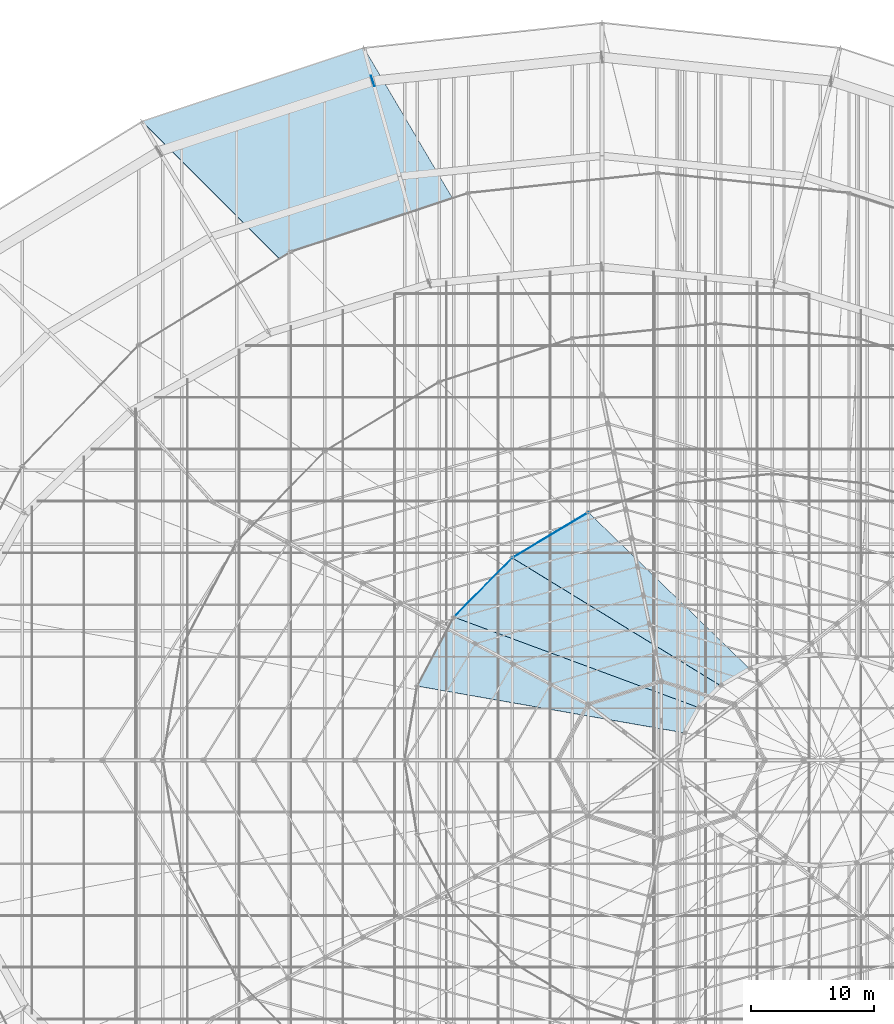
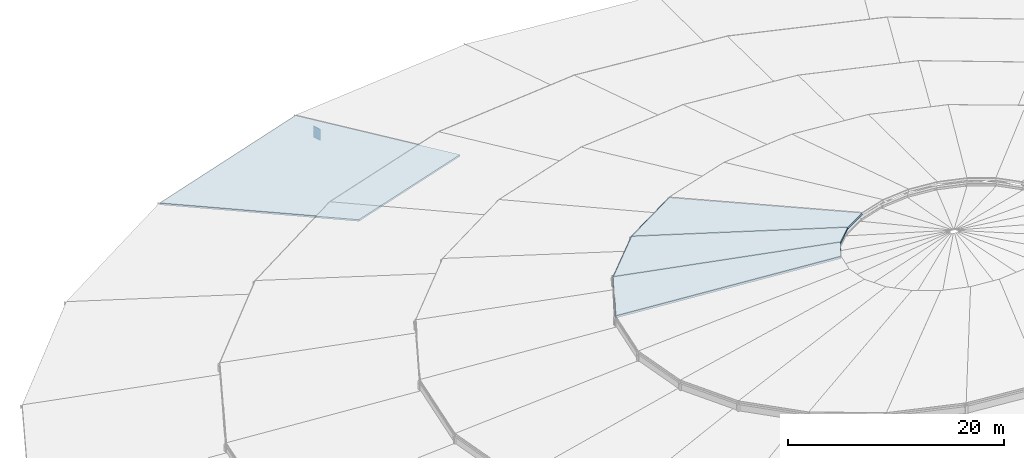
# One storey, part 150 of 184: 4 slabs, 3 plates.
"""IFC4 building model written with IfcOpenShell, lengths in metres."""

from ifc_helpers import new_model, si_unit, direction, frame, origin, origin_2d, place, context, subcontext, project, spatial, polyline, rectangle, outline, extrude, material, layer, layer_set, type_object, element, save


model = new_model("IFC4")

# Units and contexts
model_context = context("Model", 3, precision=1e-05, world=origin(), true_north=direction((0.0, 1.0)))
body_context = subcontext(model_context, "Body", "Model", "MODEL_VIEW")
ifc_project = project(units=[si_unit("LENGTHUNIT", "METRE"), si_unit("AREAUNIT", "SQUARE_METRE"), si_unit("VOLUMEUNIT", "CUBIC_METRE"), si_unit("PLANEANGLEUNIT", "RADIAN"), si_unit("MASSUNIT", "GRAM", prefix="KILO")], contexts=[model_context])

# Site, building, storey
site_placement = place(None, origin())
site = spatial("IfcSite", under=ifc_project, at=site_placement, CompositionType="ELEMENT")
building_placement = place(site_placement, origin())
building = spatial("IfcBuilding", under=site, at=building_placement, Name="Kalgoora Escarpment Arena", CompositionType="ELEMENT")
storey_placement = place(building_placement, frame((0.0, 0.0, 27.60009765625)))
storey = spatial("IfcBuildingStorey", under=building, at=storey_placement, Name="Roof Level", CompositionType="ELEMENT", Elevation=27.60009765625)

# Plates
ifc_material_1 = material(Name="Low-E double-glazed petal clerestory glass", Category="glass")
ifc_layer_1 = layer(ifc_material_1, 0.035888671875)
ifc_layer_set_1 = layer_set([ifc_layer_1], Name="PLT-PETAL-CLERESTORY")
plate_type_1 = type_object("IfcPlateType", Name="PLT-PETAL-CLERESTORY", PredefinedType="USERDEFINED", material=ifc_layer_set_1)
plate_1_placement = place(storey_placement, frame((88.214111328125, 82.248291015625, 5.159912109375), z_axis=(0.0, 0.0, 1.0), x_axis=(-0.858512728225, -0.512792253721, 0.0)))
element("IfcPlate", 1, at=plate_1_placement, inside=storey, type_object=plate_type_1, Name="Petal RP4 glazed clerestory collar panel S09", ObjectType="CLERESTORY PANEL", PredefinedType="USERDEFINED", context=body_context, shape_type="SweptSolid", body=[
    extrude(rectangle(XDim=7.297119140625, YDim=0.0400390625, at=origin_2d()), origin(), (0.0, 0.0, 1.0), 1.25),
])
plate_2_placement = place(storey_placement, frame((82.76025390625, 78.00244140625, 5.159912109375), z_axis=(0.0, 0.0, 1.0), x_axis=(-0.702028770313, -0.712148583972, 0.0)))
element("IfcPlate", 2, at=plate_2_placement, inside=storey, type_object=plate_type_1, Name="Petal RP4 glazed clerestory collar panel S10", ObjectType="CLERESTORY PANEL", PredefinedType="USERDEFINED", context=body_context, shape_type="SweptSolid", body=[
    extrude(rectangle(XDim=6.84765625, YDim=0.0400390625, at=origin_2d()), origin(), (0.0, 0.0, 1.0), 1.25),
])
ifc_material_2 = material(Name="Structural steel Grade 350 (350 MPa)", Category="steel")
ifc_layer_2 = layer(ifc_material_2, 0.031982421875)
ifc_layer_set_2 = layer_set([ifc_layer_2], Name="PLT-RING-DIAPH")
plate_type_2 = type_object("IfcPlateType", Name="PLT-RING-DIAPH", PredefinedType="USERDEFINED", material=ifc_layer_set_2)
plate_3_placement = place(storey_placement, frame((73.81689453125, 119.057861328125, -2.09033203125), z_axis=(0.0, 0.0, 1.0), x_axis=(-0.949972051525, -0.312334918512, 0.0)))
element("IfcPlate", 3, at=plate_3_placement, inside=storey, type_object=plate_type_2, Name="Compression ring node diaphragm plate 08", ObjectType="FLANGE PLATE", PredefinedType="USERDEFINED", context=body_context, shape_type="SweptSolid", body=[
    extrude(rectangle(XDim=0.031982421875, YDim=0.8798828125, at=origin_2d()), origin(), (0.0, 0.0, 1.0), 1.280029296875),
])

# Slabs
ifc_material_3 = material(Name="White acoustic composite Concrete N40 (fc' 40 MPa)", Category="concrete")
ifc_layer_3 = layer(ifc_material_3, 0.179931640625)
ifc_layer_set_3 = layer_set([ifc_layer_3], Name="SLB-PETAL-RP1")
slab_type_1 = type_object("IfcSlabType", Name="SLB-PETAL-RP1", PredefinedType="ROOF", material=ifc_layer_set_3)
slab_1_placement = place(storey_placement, frame((73.092041015625, 121.762451171875, -0.840087890625), z_axis=(-0.029362179933, 0.088420293973, 0.995650397481), x_axis=(-0.949049608096, -0.315126706843, -2.580524e-06)))
element("IfcSlab", 4, at=slab_1_placement, inside=storey, type_object=slab_type_1, Name="Shifted white roof petal RP1 sector 08", PredefinedType="ROOF", context=body_context, shape_type="SweptSolid", body=[
    extrude(outline(polyline([(0.0, 0.0), (18.957851900659332, -8.881784197001252e-16), (10.393543190025383, 17.153641303929476), (-3.6784706265023788, 17.173689921207387), (0.0, 0.0)])), origin(), (0.0, 0.0, -1.0), 0.179931640625),
])
ifc_material_4 = material(Name="White acoustic composite Concrete N40 (fc' 40 MPa)", Category="concrete")
ifc_layer_4 = layer(ifc_material_4, 0.22509765625)
ifc_layer_set_4 = layer_set([ifc_layer_4], Name="SLB-PETAL-RP4")
slab_type_2 = type_object("IfcSlabType", Name="SLB-PETAL-RP4", PredefinedType="ROOF", material=ifc_layer_set_4)
slab_2_placement = place(storey_placement, frame((91.300048828125, 84.091796875, 6.349853515625), z_axis=(-0.040265214191, 0.067404357508, 0.996912917518), x_axis=(-0.858480193577, -0.512846719045, 1.218486e-06)))
element("IfcSlab", 5, at=slab_2_placement, inside=storey, type_object=slab_type_2, Name="Shifted white roof petal RP4 sector 09", PredefinedType="ROOF", context=body_context, shape_type="SweptSolid", body=[
    extrude(outline(polyline([(0.0, 0.0), (7.189304307771902, 0.0), (-2.09131671412471, 17.789310373465746), (-4.767260601295235, 17.832996053420697), (0.0, 0.0)])), origin(), (0.0, 0.0, -1.0), 0.22509765625),
])
slab_3_placement = place(storey_placement, frame((85.128173828125, 80.40478515625, 6.349853515625), z_axis=(-0.051013713952, 0.050270124756, 0.997431960359), x_axis=(-0.701985325025, -0.712191409221, -8.950563e-06)))
element("IfcSlab", 6, at=slab_3_placement, inside=storey, type_object=slab_type_2, Name="Shifted white roof petal RP4 sector 10", PredefinedType="ROOF", context=body_context, shape_type="SweptSolid", body=[
    extrude(outline(polyline([(0.0, 0.0), (6.74634723347689, 0.0), (-2.0357333674511024, 19.5015656165535), (-4.524320064760753, 19.548134890442324), (0.0, 0.0)])), origin(), (0.0, 0.0, -1.0), 0.22509765625),
])
slab_4_placement = place(storey_placement, frame((80.392333984375, 75.60009765625, 6.349853515625), z_axis=(-0.058321060876, 0.031023938281, 0.99781569897), x_axis=(-0.469704030644, -0.882823948232, -4.972543e-06)))
element("IfcSlab", 7, at=slab_4_placement, inside=storey, type_object=slab_type_2, Name="Shifted white roof petal RP4 sector 11", PredefinedType="ROOF", context=body_context, shape_type="SweptSolid", body=[
    extrude(outline(polyline([(0.0, 0.0), (6.33813794414152, -4.440892098500626e-16), (-0.5555022867921863, 21.158298019817114), (-2.8695469021722086, 21.194604534838255), (0.0, 0.0)])), origin(), (0.0, 0.0, -1.0), 0.22509765625),
])

save(model, "model.ifc")
